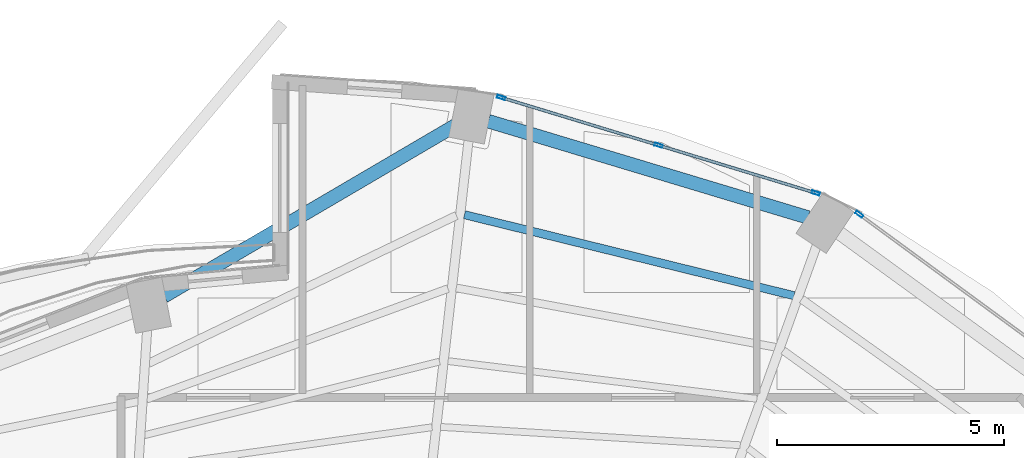
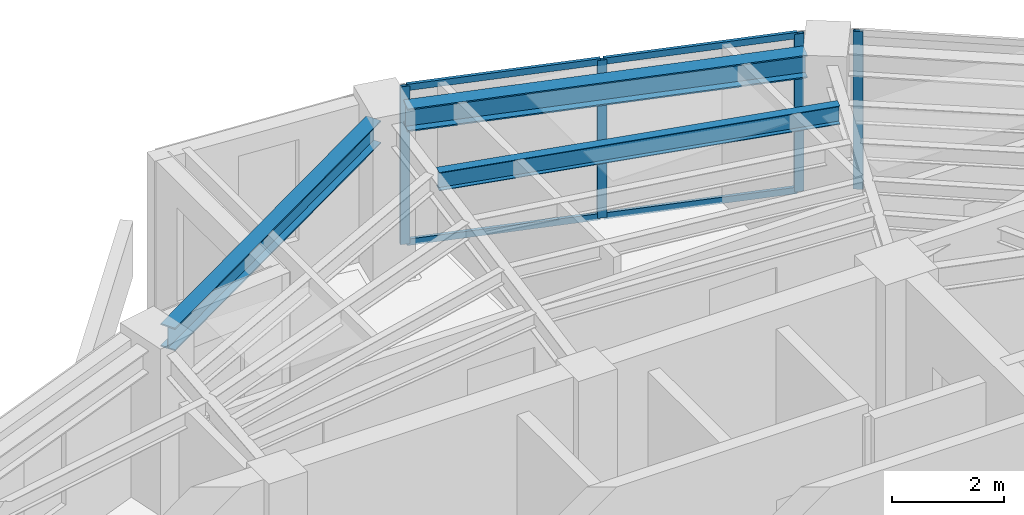
# One storey, part 7 of 15: 8 members, 3 beams, 2 elements without a shape of their own.
"""IFC4 building model written with IfcOpenShell, lengths in metres."""

from ifc_helpers import new_model, si_unit, direction, frame, origin, origin_2d, place, context, subcontext, project, spatial, hollow_rectangle, i_section, extrude, material, layer, layer_set, material_profile, profile_set, type_object, element, aggregate, save


model = new_model("IFC4")

# Units and contexts
model_context = context("Model", 3, precision=1e-05, world=origin(), true_north=direction((0.0, 1.0)))
body_context = subcontext(model_context, "Body", "Model", "MODEL_VIEW")
ifc_project = project(units=[si_unit("LENGTHUNIT", "METRE"), si_unit("AREAUNIT", "SQUARE_METRE"), si_unit("VOLUMEUNIT", "CUBIC_METRE"), si_unit("PLANEANGLEUNIT", "RADIAN"), si_unit("MASSUNIT", "GRAM", prefix="KILO")], contexts=[model_context])

# Site, building, storey
site_placement = place(None, origin())
site = spatial("IfcSite", under=ifc_project, at=site_placement, CompositionType="ELEMENT")
building_placement = place(site_placement, origin())
building = spatial("IfcBuilding", under=site, at=building_placement, Name="Lazwardi Medical Tower", CompositionType="ELEMENT")
storey_placement = place(building_placement, frame((0.0, 0.0, 269.615966796875)))
storey = spatial("IfcBuildingStorey", under=building, at=storey_placement, Name="L70", CompositionType="ELEMENT", Elevation=269.615966796875)

# Beams
ifc_material_1 = material(Name="Steel S355", Category="steel")
ifc_material_profile_1 = material_profile(ifc_material_1, i_section(OverallWidth=0.300048828125, OverallDepth=0.5, WebThickness=0.014404296875, FlangeThickness=0.028076171875, at=origin_2d()), Name="HEB 500")
ifc_profile_set_1 = profile_set([ifc_material_profile_1], Name="Steel S355")
beam_type_1 = type_object("IfcBeamType", Name="BM-RB-Z4", PredefinedType="BEAM", material=ifc_profile_set_1)
beam_1_placement = place(storey_placement, frame((47.626953125, 42.366455078125, 3.197998046875), z_axis=(-0.957544311906, 0.288286126506, 0.0), x_axis=(-0.288286126506, -0.957544311906, 0.0)))
element("IfcBeam", 1, at=beam_1_placement, inside=storey, type_object=beam_type_1, Name="Ring beam RB-05 B07 L70", PredefinedType="BEAM", context=body_context, shape_type="SweptSolid", body=[
    extrude(i_section(OverallWidth=0.300048828125, OverallDepth=0.5, WebThickness=0.014404296875, FlangeThickness=0.028076171875, at=origin_2d()), origin(), (0.0, 0.0, 1.0), 7.3515625),
])
beam_2_placement = place(storey_placement, frame((39.877685546875, 44.40087890625, 3.197998046875), z_axis=(-0.862560933033, -0.505953196259, 0.0), x_axis=(0.505953196259, -0.862560933033, 0.0)))
element("IfcBeam", 2, at=beam_2_placement, inside=storey, type_object=beam_type_1, Name="Ring beam RB-05 B08 L70", PredefinedType="BEAM", context=body_context, shape_type="SweptSolid", body=[
    extrude(i_section(OverallWidth=0.300048828125, OverallDepth=0.5, WebThickness=0.014404296875, FlangeThickness=0.028076171875, at=origin_2d()), origin(), (0.0, 0.0, 1.0), 7.452880859375),
])
ifc_material_profile_2 = material_profile(ifc_material_1, i_section(OverallWidth=0.179931640625, OverallDepth=0.39990234375, WebThickness=0.008544921875, FlangeThickness=0.013427734375, at=origin_2d()), Name="IPE 400")
ifc_profile_set_2 = profile_set([ifc_material_profile_2], Name="Steel S355")
beam_type_2 = type_object("IfcBeamType", Name="BM-SJ-01", PredefinedType="JOIST", material=ifc_profile_set_2)
beam_3_placement = place(storey_placement, frame((47.319091796875, 40.64404296875, 3.248046875), z_axis=(-0.971096035988, 0.23868910509, 0.0), x_axis=(-0.23868910509, -0.971096035988, 0.0)))
element("IfcBeam", 3, at=beam_3_placement, inside=storey, type_object=beam_type_2, Name="Secondary joist SJ-01 R1 B07 L70", PredefinedType="JOIST", context=body_context, shape_type="SweptSolid", body=[
    extrude(i_section(OverallWidth=0.179931640625, OverallDepth=0.39990234375, WebThickness=0.008544921875, FlangeThickness=0.013427734375, at=origin_2d()), origin(), (0.0, 0.0, 1.0), 7.470703125),
])

# Curtain wall, member
ifc_material_2 = material(Name="Anodised bronze aluminium and solar control glazing", Category="aluminium")
ifc_layer = layer(ifc_material_2, 0.18994140625)
ifc_layer_set = layer_set([ifc_layer], Name="Anodised bronze aluminium and solar control glazing")
curtain_wall_type = type_object("IfcCurtainWallType", Name="CW-SYS-04", PredefinedType="NOTDEFINED", material=ifc_layer_set)
curtain_wall_1_placement = place(storey_placement, origin())
curtain_wall_1 = element("IfcCurtainWall", 4, at=curtain_wall_1_placement, inside=storey, type_object=curtain_wall_type, Name="L70 Unitised bronze curtain wall CW-04", PredefinedType="NOTDEFINED")
ifc_material_3 = material(Name="Anodised bronze aluminium", Category="aluminium")
ifc_material_profile_3 = material_profile(ifc_material_3, hollow_rectangle(XDim=0.06494140625, YDim=0.179931640625, WallThickness=0.00390625, at=origin_2d()), Name="ALU-MULLION 180x65x4")
ifc_profile_set_3 = profile_set([ifc_material_profile_3], Name="Anodised bronze aluminium")
member_type_1 = type_object("IfcMemberType", Name="CW-MUL-03", PredefinedType="MULLION", material=ifc_profile_set_3)
member_1_placement = place(storey_placement, frame((48.75537109375, 42.434814453125, 0.0), z_axis=(0.0, 0.0, 1.0), x_axis=(-0.591268230971, -0.806474971121, 0.0)))
member_1 = element("IfcMember", 5, at=member_1_placement, type_object=member_type_1, Name="CW-04 mullion 2", PredefinedType="MULLION", context=body_context, shape_type="SweptSolid", body=[
    extrude(hollow_rectangle(XDim=0.06494140625, YDim=0.179931640625, WallThickness=0.00390625, at=origin_2d()), origin(), (0.0, 0.0, 1.0), 3.447998046875),
])
aggregate(curtain_wall_1, [member_1])

# Curtain wall, members
curtain_wall_2_placement = place(storey_placement, origin())
curtain_wall_2 = element("IfcCurtainWall", 6, at=curtain_wall_2_placement, inside=storey, type_object=curtain_wall_type, Name="L70 Unitised bronze curtain wall CW-04", PredefinedType="NOTDEFINED")
member_2_placement = place(storey_placement, frame((47.7998046875, 42.903564453125, 0.0), z_axis=(0.0, 0.0, 1.0), x_axis=(-0.290581889515, -0.956850126972, 0.0)))
member_2 = element("IfcMember", 7, at=member_2_placement, type_object=member_type_1, Name="CW-04 mullion 1", PredefinedType="MULLION", context=body_context, shape_type="SweptSolid", body=[
    extrude(hollow_rectangle(XDim=0.06494140625, YDim=0.179931640625, WallThickness=0.00390625, at=origin_2d()), origin(), (0.0, 0.0, 1.0), 3.447998046875),
])
member_3_placement = place(storey_placement, frame((44.33642578125, 43.955322265625, 0.0), z_axis=(0.0, 0.0, 1.0), x_axis=(-0.290581889515, -0.956850126972, 0.0)))
member_3 = element("IfcMember", 8, at=member_3_placement, type_object=member_type_1, Name="CW-04 mullion 2", PredefinedType="MULLION", context=body_context, shape_type="SweptSolid", body=[
    extrude(hollow_rectangle(XDim=0.06494140625, YDim=0.179931640625, WallThickness=0.00390625, at=origin_2d()), origin(), (0.0, 0.0, 1.0), 3.447998046875),
])
member_4_placement = place(storey_placement, frame((40.873046875, 45.007080078125, 0.0), z_axis=(0.0, 0.0, 1.0), x_axis=(-0.290581889515, -0.956850126972, 0.0)))
member_4 = element("IfcMember", 9, at=member_4_placement, type_object=member_type_1, Name="CW-04 mullion 3", PredefinedType="MULLION", context=body_context, shape_type="SweptSolid", body=[
    extrude(hollow_rectangle(XDim=0.06494140625, YDim=0.179931640625, WallThickness=0.00390625, at=origin_2d()), origin(), (0.0, 0.0, 1.0), 3.447998046875),
])
ifc_material_profile_4 = material_profile(ifc_material_3, hollow_rectangle(XDim=0.06494140625, YDim=0.139892578125, WallThickness=0.00341796875, at=origin_2d()), Name="ALU-TRANSOM 140x65x3.5")
ifc_profile_set_4 = profile_set([ifc_material_profile_4], Name="Anodised bronze aluminium")
member_type_2 = type_object("IfcMemberType", Name="CW-TRN-03", PredefinedType="USERDEFINED", material=ifc_profile_set_4)
member_5_placement = place(storey_placement, frame((47.7685546875, 42.9130859375, 0.032470703125), z_axis=(-0.956862505902, 0.290541124109, 0.0), x_axis=(-0.290541124109, -0.956862505902, 0.0)))
member_5 = element("IfcMember", 10, at=member_5_placement, type_object=member_type_2, Name="CW-04 transom 1.1", ObjectType="TRANSOM", PredefinedType="USERDEFINED", context=body_context, shape_type="SweptSolid", body=[
    extrude(hollow_rectangle(XDim=0.06494140625, YDim=0.139892578125, WallThickness=0.00341796875, at=origin_2d()), origin(), (0.0, 0.0, 1.0), 3.554443359375),
])
member_6_placement = place(storey_placement, frame((47.7685546875, 42.9130859375, 3.41552734375), z_axis=(-0.956862505902, 0.290541124109, 0.0), x_axis=(-0.290541124109, -0.956862505902, 0.0)))
member_6 = element("IfcMember", 11, at=member_6_placement, type_object=member_type_2, Name="CW-04 transom 1.2", ObjectType="TRANSOM", PredefinedType="USERDEFINED", context=body_context, shape_type="SweptSolid", body=[
    extrude(hollow_rectangle(XDim=0.06494140625, YDim=0.139892578125, WallThickness=0.00341796875, at=origin_2d()), origin(), (0.0, 0.0, 1.0), 3.554443359375),
])
member_7_placement = place(storey_placement, frame((44.305419921875, 43.96484375, 0.032470703125), z_axis=(-0.956862505902, 0.290541124109, 0.0), x_axis=(-0.290541124109, -0.956862505902, 0.0)))
member_7 = element("IfcMember", 12, at=member_7_placement, type_object=member_type_2, Name="CW-04 transom 2.1", ObjectType="TRANSOM", PredefinedType="USERDEFINED", context=body_context, shape_type="SweptSolid", body=[
    extrude(hollow_rectangle(XDim=0.06494140625, YDim=0.139892578125, WallThickness=0.00341796875, at=origin_2d()), origin(), (0.0, 0.0, 1.0), 3.554443359375),
])
member_8_placement = place(storey_placement, frame((44.305419921875, 43.96484375, 3.41552734375), z_axis=(-0.956862505902, 0.290541124109, 0.0), x_axis=(-0.290541124109, -0.956862505902, 0.0)))
member_8 = element("IfcMember", 13, at=member_8_placement, type_object=member_type_2, Name="CW-04 transom 2.2", ObjectType="TRANSOM", PredefinedType="USERDEFINED", context=body_context, shape_type="SweptSolid", body=[
    extrude(hollow_rectangle(XDim=0.06494140625, YDim=0.139892578125, WallThickness=0.00341796875, at=origin_2d()), origin(), (0.0, 0.0, 1.0), 3.554443359375),
])
aggregate(curtain_wall_2, [member_2, member_3, member_4, member_5, member_6, member_7, member_8])

save(model, "model.ifc")
